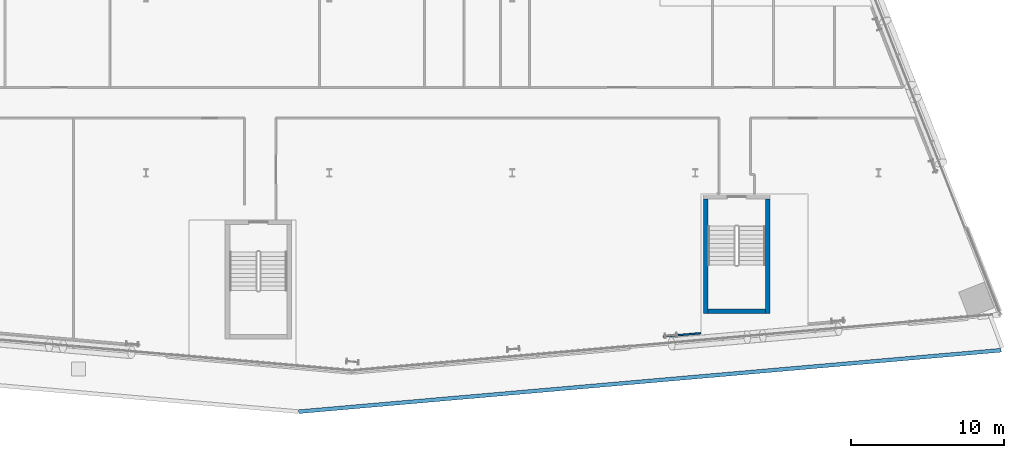
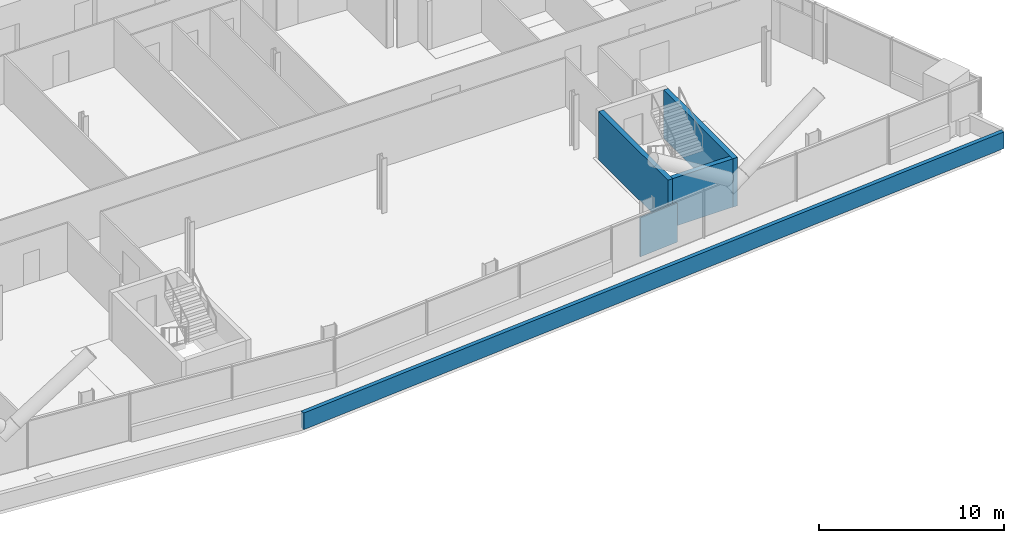
# One storey, part 17 of 26: 5 walls.
"""IFC4 building model written with IfcOpenShell, lengths in metres."""

from ifc_helpers import new_model, si_unit, direction, frame, frame_2d, origin, place, context, subcontext, project, spatial, rectangle, extrude, material, layer, layer_set, type_object, element, save


model = new_model("IFC4")

# Units and contexts
model_context = context("Model", 3, precision=1e-05, world=origin(), true_north=direction((0.0, 1.0)))
body_context = subcontext(model_context, "Body", "Model", "MODEL_VIEW")
ifc_project = project(units=[si_unit("LENGTHUNIT", "METRE"), si_unit("AREAUNIT", "SQUARE_METRE"), si_unit("VOLUMEUNIT", "CUBIC_METRE"), si_unit("PLANEANGLEUNIT", "RADIAN"), si_unit("MASSUNIT", "GRAM", prefix="KILO")], contexts=[model_context])

# Site, building, storey
site_placement = place(None, origin())
site = spatial("IfcSite", under=ifc_project, at=site_placement, CompositionType="ELEMENT")
building_placement = place(site_placement, origin())
building = spatial("IfcBuilding", under=site, at=building_placement, Name="Wharfspan Tower", CompositionType="ELEMENT")
storey_placement = place(building_placement, frame((0.0, 0.0, 96.699951)))
storey = spatial("IfcBuildingStorey", under=building, at=storey_placement, Name="L21", CompositionType="ELEMENT", Elevation=96.699951)

# Walls
ifc_material_1 = material(Name="Concrete C40/50", Category="concrete")
ifc_layer_1 = layer(ifc_material_1, 0.25)
ifc_layer_set_1 = layer_set([ifc_layer_1], Name="Concrete C40/50")
wall_type_1 = type_object("IfcWallType", Name="PARAPET CONCRETE 250", PredefinedType="PARAPET", material=ifc_layer_set_1)
wall_1_placement = place(storey_placement, frame((92.050293, -0.121094, 0.0), z_axis=(0.0, 0.0, 1.0), x_axis=(-0.996192, -0.087154, 0.0)))
element("IfcWall", 1, at=wall_1_placement, inside=storey, type_object=wall_type_1, Name="Ledge parapet", PredefinedType="PARAPET", context=body_context, shape_type="SweptSolid", body=[
    extrude(rectangle(XDim=46.226074, YDim=0.25, at=frame_2d((23.113037, 0.0))), origin(), (0.0, 0.0, 1.0), 1.100098),
])
ifc_material_2 = material(Name="Gypsum board on steel studs", Category="steel")
ifc_layer_2 = layer(ifc_material_2, 0.100098)
ifc_layer_set_2 = layer_set([ifc_layer_2], Name="Gypsum board on steel studs")
wall_type_2 = type_object("IfcWallType", Name="Partition 100", PredefinedType="PARTITIONING", material=ifc_layer_set_2)
wall_2_placement = place(storey_placement, frame((69.909912, 0.780029, 0.0), z_axis=(0.0, 0.0, 1.0), x_axis=(0.99619, 0.087259, 0.0)))
element("IfcWall", 2, at=wall_2_placement, inside=storey, type_object=wall_type_2, Name="Partition L21.w037", PredefinedType="PARTITIONING", context=body_context, shape_type="SweptSolid", body=[
    extrude(rectangle(XDim=2.445312, YDim=0.100098, at=frame_2d((1.222656, 0.0))), origin(), (0.0, 0.0, 1.0), 2.580078),
])
ifc_layer_3 = layer(ifc_material_1, 0.300049)
ifc_layer_set_3 = layer_set([ifc_layer_3], Name="Concrete C40/50")
wall_type_3 = type_object("IfcWallType", Name="Stair core wall 300", PredefinedType="SHEAR", material=ifc_layer_set_3)
for number, where, z_axis, x_axis, name in (
    (3, (72.690918, 2.294678, 0.0), (0.0, 0.0, 1.0), (0.0, 1.0, 0.0), "ST5 stair enclosure wall L21"),
    (4, (76.740967, 2.294678, 0.0), (0.0, 0.0, 1.0), (0.0, 1.0, 0.0), "ST5 stair enclosure wall L21"),
):
    element("IfcWall", number, at=place(storey_placement, frame(where, z_axis=z_axis, x_axis=x_axis)), inside=storey, type_object=wall_type_3, Name=name, PredefinedType="SHEAR", context=body_context, shape_type="SweptSolid", body=[
        extrude(rectangle(XDim=7.5, YDim=0.300049, at=frame_2d((3.75, 0.0))), origin(), (0.0, 0.0, 1.0), 3.199951),
    ])
wall_3_placement = place(storey_placement, frame((72.841064, 2.44458, 0.0), z_axis=(0.0, 0.0, 1.0), x_axis=(1.0, 0.0, 0.0)))
element("IfcWall", 5, at=wall_3_placement, inside=storey, type_object=wall_type_3, Name="ST5 stair enclosure wall L21", PredefinedType="SHEAR", context=body_context, shape_type="SweptSolid", body=[
    extrude(rectangle(XDim=3.75, YDim=0.300049, at=frame_2d((1.875, 0.0))), origin(), (0.0, 0.0, 1.0), 3.199951),
])

save(model, "model.ifc")
